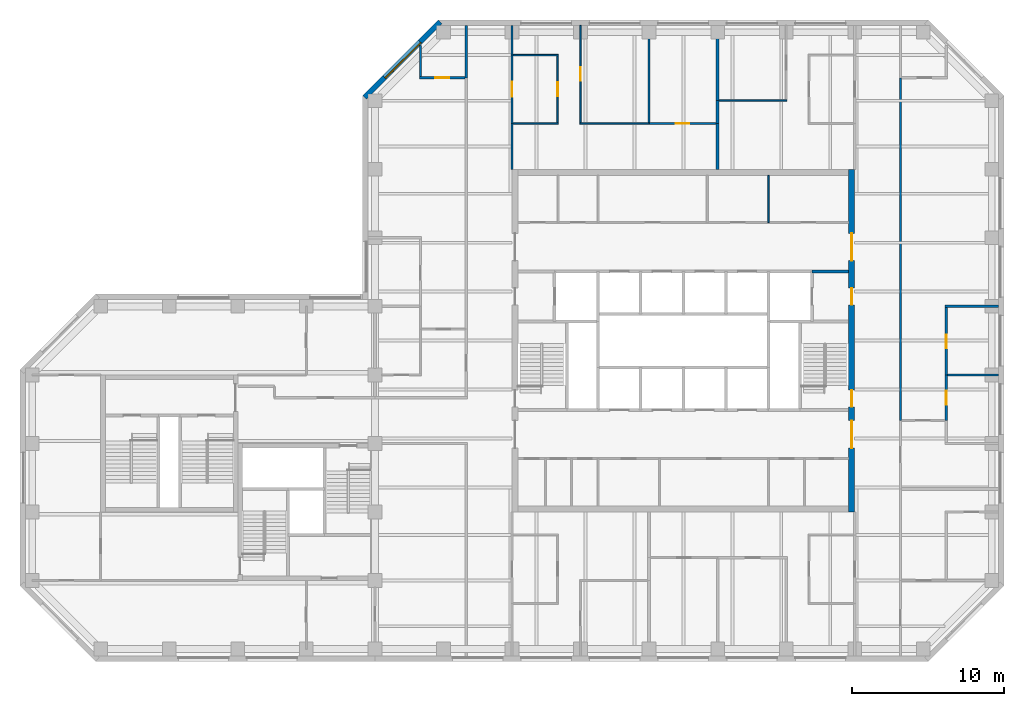
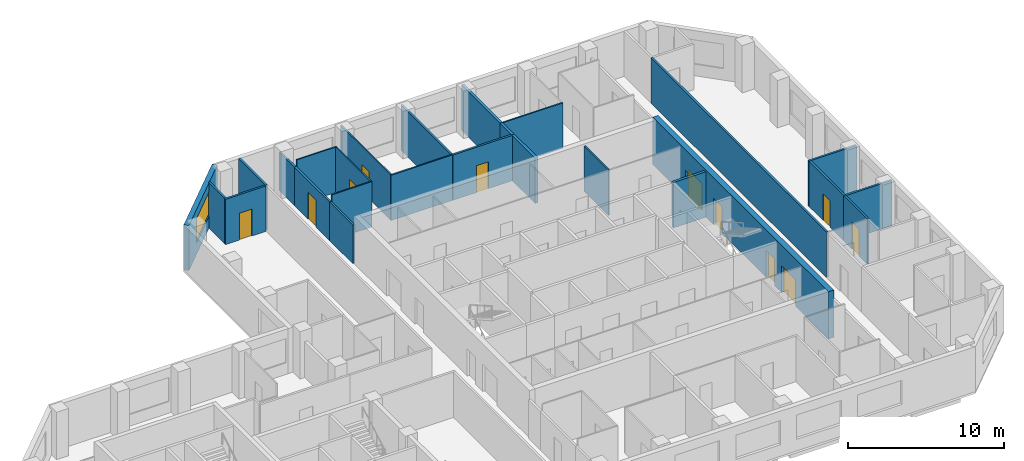
# One storey, part 7 of 10: 26 walls, 11 doors, 1 window, 12 openings.
"""IFC4 building model written with IfcOpenShell, lengths in metres."""

from ifc_helpers import new_model, si_unit, direction, frame, frame_2d, origin, place, context, subcontext, project, spatial, rectangle, extrude, material, layer, layer_set, constituent, constituent_set, type_object, element, fill, save


model = new_model("IFC4")

# Units and contexts
model_context = context("Model", 3, precision=1e-05, world=origin(), true_north=direction((0.0, 1.0)))
body_context = subcontext(model_context, "Body", "Model", "MODEL_VIEW")
ifc_project = project(units=[si_unit("LENGTHUNIT", "METRE"), si_unit("AREAUNIT", "SQUARE_METRE"), si_unit("VOLUMEUNIT", "CUBIC_METRE"), si_unit("PLANEANGLEUNIT", "RADIAN"), si_unit("MASSUNIT", "GRAM", prefix="KILO")], contexts=[model_context])

# Site, building, storey
site_placement = place(None, origin())
site = spatial("IfcSite", under=ifc_project, at=site_placement, CompositionType="ELEMENT")
building_placement = place(site_placement, origin())
building = spatial("IfcBuilding", under=site, at=building_placement, Name="Quoin Convention Tower", CompositionType="ELEMENT")
storey_placement = place(building_placement, frame((0.0, 0.0, 192.10009765625)))
storey = spatial("IfcBuildingStorey", under=building, at=storey_placement, Name="L50", CompositionType="ELEMENT", Elevation=192.10009765625)

# Walls
ifc_material_1 = material(Name="Plasterboard")
ifc_layer_1 = layer(ifc_material_1, 0.012451171875, Name="Finish")
ifc_material_2 = material(Name="Steel stud framing", Category="steel")
ifc_layer_2 = layer(ifc_material_2, 0.125, Name="Structure")
ifc_layer_3 = layer(ifc_material_1, 0.012451171875, Name="Finish")
ifc_layer_set_1 = layer_set([ifc_layer_1, ifc_layer_2, ifc_layer_3], Name="Steel stud framing")
wall_type_1 = type_object("IfcWallType", Name="Acoustic partition 150", PredefinedType="PARTITIONING", material=ifc_layer_set_1)
wall_1_placement = place(storey_placement, frame((73.574951171875, 58.5, 0.0), z_axis=(0.0, 0.0, 1.0), x_axis=(1.0, 0.0, 0.0)))
element("IfcWall", 1, at=wall_1_placement, inside=storey, type_object=wall_type_1, Name="pw-L50-023", PredefinedType="PARTITIONING", context=body_context, shape_type="SweptSolid", body=[
    extrude(rectangle(XDim=3.375, YDim=0.14990234375, at=frame_2d((1.6875, 0.0))), origin(), (0.0, 0.0, 1.0), 3.5498046875),
])
wall_2_placement = place(storey_placement, frame((73.425048828125, 63.0, 0.0), z_axis=(0.0, 0.0, 1.0), x_axis=(1.0, 0.0, 0.0)))
element("IfcWall", 2, at=wall_2_placement, inside=storey, type_object=wall_type_1, Name="pw-L50-027", PredefinedType="PARTITIONING", context=body_context, shape_type="SweptSolid", body=[
    extrude(rectangle(XDim=3.52490234375, YDim=0.14990234375, at=frame_2d((1.762451171875, 0.0))), origin(), (0.0, 0.0, 1.0), 3.5498046875),
])

# Wall, opening, door
wall_3_placement = place(storey_placement, frame((54.0, 75.0, 0.0), z_axis=(0.0, 0.0, 1.0), x_axis=(1.0, 0.0, 0.0)))
wall_3 = element("IfcWall", 3, at=wall_3_placement, inside=storey, type_object=wall_type_1, Name="pw-L50-031", PredefinedType="PARTITIONING", context=body_context, shape_type="SweptSolid", body=[
    extrude(rectangle(XDim=4.39990234375, YDim=0.14990234375, at=frame_2d((2.199951171875, 0.0))), origin(), (0.0, 0.0, 1.0), 3.5498046875),
])
opening_1_placement = place(wall_3_placement, frame((1.75, 0.0, 0.0)))
opening_1 = element("IfcOpeningElement", 4, at=opening_1_placement, cuts=wall_3, Name="Opening DOH7-09", PredefinedType="OPENING", context=body_context, shape_type="SweptSolid", body=[
    extrude(rectangle(XDim=0.89990234375, YDim=2.10009765625, at=frame_2d((0.449951171875, 1.050048828125))), frame((0.0, 0.0849609375, 0.0), z_axis=(0.0, -1.0, 0.0), x_axis=(1.0, 0.0, 0.0)), (0.0, 0.0, 1.0), 0.169921875),
])
ifc_material_3 = material(Name="Steel door leaf", Category="steel")
door_type_1 = type_object("IfcDoorType", Name="Office door 900 x 2100", OperationType="SINGLE_SWING_RIGHT", PredefinedType="DOOR", material=ifc_material_3)
door_1_placement = place(opening_1_placement, frame((0.89990234375, 0.0, 0.0), z_axis=(0.0, 0.0, 1.0), x_axis=(-1.0, 0.0, 0.0)))
door_1 = element("IfcDoor", 5, at=door_1_placement, inside=storey, type_object=door_type_1, Name="dr-L50-22", OperationType="SINGLE_SWING_LEFT", OverallHeight=2.10009765625, OverallWidth=0.89990234375, PredefinedType="DOOR", context=body_context, shape_type="SweptSolid", body=[
    extrude(rectangle(XDim=0.89990234375, YDim=2.10009765625, at=frame_2d((0.449951171875, 1.050048828125))), frame((0.0, 0.02490234375, 0.0), z_axis=(0.0, -1.0, 0.0), x_axis=(1.0, 0.0, 0.0)), (0.0, 0.0, 1.0), 0.050048828125),
])
fill(opening_1, door_1)

wall_4_placement = place(storey_placement, frame((73.5, 55.5, 0.0), z_axis=(0.0, 0.0, 1.0), x_axis=(0.0, 1.0, 0.0)))
wall_4 = element("IfcWall", 6, at=wall_4_placement, inside=storey, type_object=wall_type_1, Name="pw-L50-066", PredefinedType="PARTITIONING", context=body_context, shape_type="SweptSolid", body=[
    extrude(rectangle(XDim=3.0, YDim=0.14990234375, at=frame_2d((1.5, 0.0))), origin(), (0.0, 0.0, 1.0), 3.5498046875),
])
opening_2_placement = place(wall_4_placement, frame((1.050048828125, 0.0, 0.0)))
opening_2 = element("IfcOpeningElement", 7, at=opening_2_placement, cuts=wall_4, Name="Opening DOH7-20", PredefinedType="OPENING", context=body_context, shape_type="SweptSolid", body=[
    extrude(rectangle(XDim=0.89990234375, YDim=2.10009765625, at=frame_2d((0.449951171875, 1.050048828125))), frame((0.0, 0.0849609375, 0.0), z_axis=(0.0, -1.0, 0.0), x_axis=(1.0, 0.0, 0.0)), (0.0, 0.0, 1.0), 0.169921875),
])
door_2_placement = place(opening_2_placement, origin())
door_2 = element("IfcDoor", 8, at=door_2_placement, inside=storey, type_object=door_type_1, Name="dr-L50-31", OperationType="SINGLE_SWING_RIGHT", OverallHeight=2.10009765625, OverallWidth=0.89990234375, PredefinedType="DOOR", context=body_context, shape_type="SweptSolid", body=[
    extrude(rectangle(XDim=0.89990234375, YDim=2.10009765625, at=frame_2d((0.449951171875, 1.050048828125))), frame((0.0, 0.02490234375, 0.0), z_axis=(0.0, -1.0, 0.0), x_axis=(1.0, 0.0, 0.0)), (0.0, 0.0, 1.0), 0.050048828125),
])
fill(opening_2, door_2)

wall_5_placement = place(storey_placement, frame((73.5, 58.5, 0.0), z_axis=(0.0, 0.0, 1.0), x_axis=(0.0, 1.0, 0.0)))
wall_5 = element("IfcWall", 9, at=wall_5_placement, inside=storey, type_object=wall_type_1, Name="pw-L50-069", PredefinedType="PARTITIONING", context=body_context, shape_type="SweptSolid", body=[
    extrude(rectangle(XDim=4.425048828125, YDim=0.14990234375, at=frame_2d((2.21240234375, 0.0))), origin(), (0.0, 0.0, 1.0), 3.5498046875),
])
opening_3_placement = place(wall_5_placement, frame((1.75, 0.0, 0.0)))
opening_3 = element("IfcOpeningElement", 10, at=opening_3_placement, cuts=wall_5, Name="Opening DOH7-22", PredefinedType="OPENING", context=body_context, shape_type="SweptSolid", body=[
    extrude(rectangle(XDim=0.89990234375, YDim=2.10009765625, at=frame_2d((0.449951171875, 1.050048828125))), frame((0.0, 0.0849609375, 0.0), z_axis=(0.0, -1.0, 0.0), x_axis=(1.0, 0.0, 0.0)), (0.0, 0.0, 1.0), 0.169921875),
])
door_3_placement = place(opening_3_placement, origin())
door_3 = element("IfcDoor", 11, at=door_3_placement, inside=storey, type_object=door_type_1, Name="dr-L50-32", OperationType="SINGLE_SWING_RIGHT", OverallHeight=2.10009765625, OverallWidth=0.89990234375, PredefinedType="DOOR", context=body_context, shape_type="SweptSolid", body=[
    extrude(rectangle(XDim=0.89990234375, YDim=2.10009765625, at=frame_2d((0.449951171875, 1.050048828125))), frame((0.0, 0.02490234375, 0.0), z_axis=(0.0, -1.0, 0.0), x_axis=(1.0, 0.0, 0.0)), (0.0, 0.0, 1.0), 0.050048828125),
])
fill(opening_3, door_3)

# Wall
wall_6_placement = place(storey_placement, frame((54.0, 75.074951171875, 0.0), z_axis=(0.0, 0.0, 1.0), x_axis=(0.0, 1.0, 0.0)))
element("IfcWall", 12, at=wall_6_placement, inside=storey, type_object=wall_type_1, Name="pw-L50-086", PredefinedType="PARTITIONING", context=body_context, shape_type="SweptSolid", body=[
    extrude(rectangle(XDim=6.375, YDim=0.14990234375, at=frame_2d((3.1875, 0.0))), origin(), (0.0, 0.0, 1.0), 3.5498046875),
])

# Wall, opening, window
ifc_material_4 = material(Name="Brick masonry", Category="masonry")
ifc_layer_4 = layer(ifc_material_4, 0.35009765625)
ifc_layer_set_2 = layer_set([ifc_layer_4], Name="Brick masonry")
wall_type_2 = type_object("IfcWallType", Name="Brick facade wall", PredefinedType="STANDARD", material=ifc_layer_set_2)
wall_7_placement = place(storey_placement, frame((40.29248046875, 81.67626953125, 0.0), z_axis=(0.0, 0.0, 1.0), x_axis=(-0.707106781187, -0.707106781187, 0.0)))
wall_7 = element("IfcWall", 13, at=wall_7_placement, inside=storey, type_object=wall_type_2, Name="fw-L50-40500_81000", PredefinedType="STANDARD", context=body_context, shape_type="SweptSolid", body=[
    extrude(rectangle(XDim=7.02685546875, YDim=0.35009765625, at=frame_2d((3.513427734375, 0.0))), origin(), (0.0, 0.0, 1.0), 3.52490234375),
])
opening_4_placement = place(wall_7_placement, frame((1.86328125, 0.0, 0.89990234375)))
opening_4 = element("IfcOpeningElement", 14, at=opening_4_placement, cuts=wall_7, Name="Opening W-02", PredefinedType="OPENING", context=body_context, shape_type="SweptSolid", body=[
    extrude(rectangle(XDim=3.300048828125, YDim=1.89990234375, at=frame_2d((1.64990234375, 0.949951171875))), frame((0.0, 0.18505859375, 0.0), z_axis=(0.0, -1.0, 0.0), x_axis=(1.0, 0.0, 0.0)), (0.0, 0.0, 1.0), 0.3701171875),
])
ifc_material_5 = material(Name="Aluminium", Category="aluminium")
ifc_constituent_1 = constituent(ifc_material_5, Name="Frame")
ifc_material_6 = material(Name="Insulated glass", Category="glass")
ifc_constituent_2 = constituent(ifc_material_6, Name="Glazing")
ifc_constituent_set = constituent_set(constituents=[ifc_constituent_1, ifc_constituent_2], Name="Aluminium")
window_type = type_object("IfcWindowType", Name="Office window", PartitioningType="DOUBLE_PANEL_VERTICAL", PredefinedType="WINDOW", material=ifc_constituent_set)
window_placement = place(opening_4_placement, origin())
window = element("IfcWindow", 15, at=window_placement, inside=storey, type_object=window_type, Name="win-L50-37808_79192", OverallHeight=1.89990234375, OverallWidth=3.300048828125, PartitioningType="SINGLE_PANEL", PredefinedType="WINDOW", context=body_context, shape_type="SweptSolid", body=[
    extrude(rectangle(XDim=3.300048828125, YDim=1.89990234375, at=frame_2d((1.64990234375, 0.949951171875))), frame((0.0, 0.0849609375, 0.0), z_axis=(0.0, -1.0, 0.0), x_axis=(1.0, 0.0, 0.0)), (0.0, 0.0, 1.0), 0.06005859375),
])
fill(opening_4, window)

# Walls
ifc_layer_5 = layer(ifc_material_1, 0.012451171875, Name="Finish")
ifc_layer_6 = layer(ifc_material_2, 0.074951171875, Name="Structure")
ifc_layer_7 = layer(ifc_material_1, 0.012451171875, Name="Finish")
ifc_layer_set_3 = layer_set([ifc_layer_5, ifc_layer_6, ifc_layer_7], Name="Steel stud framing")
wall_type_3 = type_object("IfcWallType", Name="Core partition wall", PredefinedType="PARTITIONING", material=ifc_layer_set_3)
wall_8_placement = place(storey_placement, frame((61.85009765625, 68.5, 0.0), z_axis=(0.0, 0.0, 1.0), x_axis=(0.0, 1.0, 0.0)))
element("IfcWall", 16, at=wall_8_placement, inside=storey, type_object=wall_type_3, Name="cr-C1-L50-v16850_19000", PredefinedType="PARTITIONING", context=body_context, shape_type="SweptSolid", body=[
    extrude(rectangle(XDim=3.10009765625, YDim=0.10009765625, at=frame_2d((1.550048828125, 0.0))), origin(), (0.0, 0.0, 1.0), 3.5498046875),
])
ifc_material_7 = material(Name="Concrete C50", Category="concrete")
ifc_layer_8 = layer(ifc_material_7, 0.199951171875)
ifc_layer_set_4 = layer_set([ifc_layer_8], Name="Concrete C50")
wall_type_4 = type_object("IfcWallType", Name="Core shaft wall", PredefinedType="SOLIDWALL", material=ifc_layer_set_4)
wall_9_placement = place(storey_placement, frame((64.699951171875, 65.300048828125, 0.0), z_axis=(0.0, 0.0, 1.0), x_axis=(1.0, 0.0, 0.0)))
element("IfcWall", 17, at=wall_9_placement, inside=storey, type_object=wall_type_4, Name="cr-C1-L50-h15800_19700", PredefinedType="SOLIDWALL", context=body_context, shape_type="SweptSolid", body=[
    extrude(rectangle(XDim=2.400146484375, YDim=0.199951171875, at=frame_2d((1.2001953125, 0.0))), origin(), (0.0, 0.0, 1.0), 3.5498046875),
])
ifc_layer_9 = layer(ifc_material_1, 0.012451171875, Name="Finish")
ifc_layer_10 = layer(ifc_material_2, 0.125, Name="Structure")
ifc_layer_11 = layer(ifc_material_1, 0.012451171875, Name="Finish")
ifc_layer_set_5 = layer_set([ifc_layer_9, ifc_layer_10, ifc_layer_11], Name="Steel stud framing")
wall_type_5 = type_object("IfcWallType", Name="Corridor wall 150", PredefinedType="PARTITIONING", material=ifc_layer_set_5)
wall_10_placement = place(storey_placement, frame((70.5, 55.5, 0.0), z_axis=(0.0, 0.0, 1.0), x_axis=(0.0, 1.0, 0.0)))
element("IfcWall", 18, at=wall_10_placement, inside=storey, type_object=wall_type_5, Name="pw-L50-065", PredefinedType="PARTITIONING", context=body_context, shape_type="SweptSolid", body=[
    extrude(rectangle(XDim=22.5, YDim=0.14990234375, at=frame_2d((11.25, 0.0))), origin(), (0.0, 0.0, 1.0), 3.5498046875),
])
wall_11_placement = place(storey_placement, frame((42.0, 78.0, 0.0), z_axis=(0.0, 0.0, 1.0), x_axis=(0.0, 1.0, 0.0)))
element("IfcWall", 19, at=wall_11_placement, inside=storey, type_object=wall_type_5, Name="pw-L50-089", PredefinedType="PARTITIONING", context=body_context, shape_type="SweptSolid", body=[
    extrude(rectangle(XDim=3.449951171875, YDim=0.14990234375, at=frame_2d((1.72509765625, 0.0))), origin(), (0.0, 0.0, 1.0), 3.5498046875),
])
ifc_layer_12 = layer(ifc_material_1, 0.012451171875, Name="Finish")
ifc_layer_13 = layer(ifc_material_2, 0.125, Name="Structure")
ifc_layer_14 = layer(ifc_material_1, 0.012451171875, Name="Finish")
ifc_layer_set_6 = layer_set([ifc_layer_12, ifc_layer_13, ifc_layer_14], Name="Steel stud framing")
wall_type_6 = type_object("IfcWallType", Name="Corridor wall 150 under beam 528", PredefinedType="PARTITIONING", material=ifc_layer_set_6)
wall_12_placement = place(storey_placement, frame((45.0, 72.0, 0.0), z_axis=(0.0, 0.0, 1.0), x_axis=(0.0, 1.0, 0.0)))
element("IfcWall", 20, at=wall_12_placement, inside=storey, type_object=wall_type_6, Name="pw-L50-077", PredefinedType="PARTITIONING", context=body_context, shape_type="SweptSolid", body=[
    extrude(rectangle(XDim=3.0, YDim=0.14990234375, at=frame_2d((1.5, 0.0))), origin(), (0.0, 0.0, 1.0), 3.02197265625),
])

# Wall, opening, door
wall_13_placement = place(storey_placement, frame((45.0, 75.0, 0.0), z_axis=(0.0, 0.0, 1.0), x_axis=(0.0, 1.0, 0.0)))
wall_13 = element("IfcWall", 21, at=wall_13_placement, inside=storey, type_object=wall_type_6, Name="pw-L50-080", PredefinedType="PARTITIONING", context=body_context, shape_type="SweptSolid", body=[
    extrude(rectangle(XDim=4.5, YDim=0.14990234375, at=frame_2d((2.25, 0.0))), origin(), (0.0, 0.0, 1.0), 3.02197265625),
])
opening_5_placement = place(wall_13_placement, frame((1.75, 0.0, 0.0)))
opening_5 = element("IfcOpeningElement", 22, at=opening_5_placement, cuts=wall_13, Name="Opening DOH7-24", PredefinedType="OPENING", context=body_context, shape_type="SweptSolid", body=[
    extrude(rectangle(XDim=1.0, YDim=2.10009765625, at=frame_2d((0.5, 1.050048828125))), frame((0.0, 0.0849609375, 0.0), z_axis=(0.0, -1.0, 0.0), x_axis=(1.0, 0.0, 0.0)), (0.0, 0.0, 1.0), 0.169921875),
])
door_type_2 = type_object("IfcDoorType", Name="Tenancy entrance door 1000 x 2100", OperationType="DOUBLE_DOOR_SINGLE_SWING", PredefinedType="DOOR", material=ifc_material_3)
door_4_placement = place(opening_5_placement, frame((1.0, 0.0, 0.0), z_axis=(0.0, 0.0, 1.0), x_axis=(-1.0, 0.0, 0.0)))
door_4 = element("IfcDoor", 23, at=door_4_placement, inside=storey, type_object=door_type_2, Name="dr-L50-19", OperationType="DOUBLE_DOOR_SINGLE_SWING", OverallHeight=2.10009765625, OverallWidth=1.0, PredefinedType="DOOR", context=body_context, shape_type="SweptSolid", body=[
    extrude(rectangle(XDim=1.0, YDim=2.10009765625, at=frame_2d((0.5, 1.050048828125))), frame((0.0, 0.02490234375, 0.0), z_axis=(0.0, -1.0, 0.0), x_axis=(1.0, 0.0, 0.0)), (0.0, 0.0, 1.0), 0.050048828125),
])
fill(opening_5, door_4)

# Wall
wall_14_placement = place(storey_placement, frame((45.0, 79.5, 0.0), z_axis=(0.0, 0.0, 1.0), x_axis=(0.0, 1.0, 0.0)))
element("IfcWall", 24, at=wall_14_placement, inside=storey, type_object=wall_type_6, Name="pw-L50-093", PredefinedType="PARTITIONING", context=body_context, shape_type="SweptSolid", body=[
    extrude(rectangle(XDim=1.949951171875, YDim=0.14990234375, at=frame_2d((0.97509765625, 0.0))), origin(), (0.0, 0.0, 1.0), 3.02197265625),
])

# Wall, openings, doors
ifc_layer_15 = layer(ifc_material_7, 0.39990234375)
ifc_layer_set_7 = layer_set([ifc_layer_15], Name="Concrete C50")
wall_type_7 = type_object("IfcWallType", Name="RC CORE WALL 400 C50", PredefinedType="SHEAR", material=ifc_layer_set_7)
wall_15_placement = place(storey_placement, frame((67.300048828125, 49.5, 0.0), z_axis=(0.0, 0.0, 1.0), x_axis=(0.0, 1.0, 0.0)))
wall_15 = element("IfcWall", 25, at=wall_15_placement, inside=storey, type_object=wall_type_7, Name="cwl-C1-L50-E", PredefinedType="SHEAR", context=body_context, shape_type="SweptSolid", body=[
    extrude(rectangle(XDim=22.5, YDim=0.39990234375, at=frame_2d((11.25, 0.0))), origin(), (0.0, 0.0, 1.0), 3.699951171875),
])
opening_6_placement = place(wall_15_placement, frame((4.199951171875, 0.0, 0.0)))
opening_6 = element("IfcOpeningElement", 26, at=opening_6_placement, cuts=wall_15, Name="Opening DCV5-48", PredefinedType="OPENING", context=body_context, shape_type="SweptSolid", body=[
    extrude(rectangle(XDim=1.800048828125, YDim=2.10009765625, at=frame_2d((0.89990234375, 1.050048828125))), frame((0.0, 0.2099609375, 0.0), z_axis=(0.0, -1.0, 0.0), x_axis=(1.0, 0.0, 0.0)), (0.0, 0.0, 1.0), 0.419921875),
])
opening_7_placement = place(wall_15_placement, frame((6.89990234375, 0.0, 0.0)))
opening_7 = element("IfcOpeningElement", 27, at=opening_7_placement, cuts=wall_15, Name="Opening SD2", PredefinedType="OPENING", context=body_context, shape_type="SweptSolid", body=[
    extrude(rectangle(XDim=1.10009765625, YDim=2.10009765625, at=frame_2d((0.550048828125, 1.050048828125))), frame((0.0, 0.2099609375, 0.0), z_axis=(0.0, -1.0, 0.0), x_axis=(1.0, 0.0, 0.0)), (0.0, 0.0, 1.0), 0.419921875),
])
opening_8_placement = place(wall_15_placement, frame((13.60009765625, 0.0, 0.0)))
opening_8 = element("IfcOpeningElement", 28, at=opening_8_placement, cuts=wall_15, Name="Opening DCV5-47", PredefinedType="OPENING", context=body_context, shape_type="SweptSolid", body=[
    extrude(rectangle(XDim=1.10009765625, YDim=2.10009765625, at=frame_2d((0.550048828125, 1.050048828125))), frame((0.0, 0.2099609375, 0.0), z_axis=(0.0, -1.0, 0.0), x_axis=(1.0, 0.0, 0.0)), (0.0, 0.0, 1.0), 0.419921875),
])
opening_9_placement = place(wall_15_placement, frame((16.5, 0.0, 0.0)))
opening_9 = element("IfcOpeningElement", 29, at=opening_9_placement, cuts=wall_15, Name="Opening DCV5-48", PredefinedType="OPENING", context=body_context, shape_type="SweptSolid", body=[
    extrude(rectangle(XDim=1.800048828125, YDim=2.10009765625, at=frame_2d((0.89990234375, 1.050048828125))), frame((0.0, 0.2099609375, 0.0), z_axis=(0.0, -1.0, 0.0), x_axis=(1.0, 0.0, 0.0)), (0.0, 0.0, 1.0), 0.419921875),
])
door_type_3 = type_object("IfcDoorType", Name="Fire-fighting lobby door 1100 x 2100", OperationType="SINGLE_SWING_LEFT", PredefinedType="DOOR", material=ifc_material_3)
door_5_placement = place(opening_8_placement, origin())
door_5 = element("IfcDoor", 30, at=door_5_placement, inside=storey, type_object=door_type_3, Name="cd-C1-L50-FFE-E", OperationType="SINGLE_SWING_RIGHT", OverallHeight=2.10009765625, OverallWidth=1.10009765625, PredefinedType="DOOR", context=body_context, shape_type="SweptSolid", body=[
    extrude(rectangle(XDim=1.10009765625, YDim=2.10009765625, at=frame_2d((0.550048828125, 1.050048828125))), frame((0.0, 0.02490234375, 0.0), z_axis=(0.0, -1.0, 0.0), x_axis=(1.0, 0.0, 0.0)), (0.0, 0.0, 1.0), 0.050048828125),
])
fill(opening_8, door_5)
door_type_4 = type_object("IfcDoorType", Name="Lift lobby door 1800 x 2100", OperationType="SINGLE_SWING_LEFT", PredefinedType="DOOR", material=ifc_material_3)
door_6_placement = place(opening_6_placement, origin())
door_6 = element("IfcDoor", 31, at=door_6_placement, inside=storey, type_object=door_type_4, Name="cd-C1-L50-lobA-E", OperationType="SINGLE_SWING_RIGHT", OverallHeight=2.10009765625, OverallWidth=1.800048828125, PredefinedType="DOOR", context=body_context, shape_type="SweptSolid", body=[
    extrude(rectangle(XDim=1.800048828125, YDim=2.10009765625, at=frame_2d((0.89990234375, 1.050048828125))), frame((0.0, 0.02490234375, 0.0), z_axis=(0.0, -1.0, 0.0), x_axis=(1.0, 0.0, 0.0)), (0.0, 0.0, 1.0), 0.050048828125),
])
fill(opening_6, door_6)
door_7_placement = place(opening_9_placement, origin())
door_7 = element("IfcDoor", 32, at=door_7_placement, inside=storey, type_object=door_type_4, Name="cd-C1-L50-lobB-E", OperationType="SINGLE_SWING_RIGHT", OverallHeight=2.10009765625, OverallWidth=1.800048828125, PredefinedType="DOOR", context=body_context, shape_type="SweptSolid", body=[
    extrude(rectangle(XDim=1.800048828125, YDim=2.10009765625, at=frame_2d((0.89990234375, 1.050048828125))), frame((0.0, 0.02490234375, 0.0), z_axis=(0.0, -1.0, 0.0), x_axis=(1.0, 0.0, 0.0)), (0.0, 0.0, 1.0), 0.050048828125),
])
fill(opening_9, door_7)
door_type_5 = type_object("IfcDoorType", Name="Stair door 1100 x 2100", OperationType="SINGLE_SWING_RIGHT", PredefinedType="DOOR", material=ifc_material_3)
door_8_placement = place(opening_7_placement, origin())
door_8 = element("IfcDoor", 33, at=door_8_placement, inside=storey, type_object=door_type_5, Name="cd-C1-L50-STE-E", OperationType="SINGLE_SWING_LEFT", OverallHeight=2.10009765625, OverallWidth=1.10009765625, PredefinedType="DOOR", context=body_context, shape_type="SweptSolid", body=[
    extrude(rectangle(XDim=1.10009765625, YDim=2.10009765625, at=frame_2d((0.550048828125, 1.050048828125))), frame((0.0, 0.02490234375, 0.0), z_axis=(0.0, -1.0, 0.0), x_axis=(1.0, 0.0, 0.0)), (0.0, 0.0, 1.0), 0.050048828125),
])
fill(opening_7, door_8)

# Walls
ifc_layer_16 = layer(ifc_material_1, 0.012451171875, Name="Finish")
ifc_layer_17 = layer(ifc_material_2, 0.074951171875, Name="Structure")
ifc_layer_18 = layer(ifc_material_1, 0.012451171875, Name="Finish")
ifc_layer_set_8 = layer_set([ifc_layer_16, ifc_layer_17, ifc_layer_18], Name="Steel stud framing")
wall_type_8 = type_object("IfcWallType", Name="Stud partition 100", PredefinedType="PARTITIONING", material=ifc_layer_set_8)
wall_16_placement = place(storey_placement, frame((45.074951171875, 75.0, 0.0), z_axis=(0.0, 0.0, 1.0), x_axis=(1.0, 0.0, 0.0)))
element("IfcWall", 34, at=wall_16_placement, inside=storey, type_object=wall_type_8, Name="pw-L50-029", PredefinedType="PARTITIONING", context=body_context, shape_type="SweptSolid", body=[
    extrude(rectangle(XDim=2.97509765625, YDim=0.10009765625, at=frame_2d((1.487548828125, 0.0))), origin(), (0.0, 0.0, 1.0), 3.5498046875),
])
wall_17_placement = place(storey_placement, frame((49.449951171875, 75.0, 0.0), z_axis=(0.0, 0.0, 1.0), x_axis=(1.0, 0.0, 0.0)))
element("IfcWall", 35, at=wall_17_placement, inside=storey, type_object=wall_type_8, Name="pw-L50-030", PredefinedType="PARTITIONING", context=body_context, shape_type="SweptSolid", body=[
    extrude(rectangle(XDim=4.550048828125, YDim=0.10009765625, at=frame_2d((2.27490234375, 0.0))), origin(), (0.0, 0.0, 1.0), 3.5498046875),
])
wall_18_placement = place(storey_placement, frame((58.60009765625, 76.5, 0.0), z_axis=(0.0, 0.0, 1.0), x_axis=(1.0, 0.0, 0.0)))
element("IfcWall", 36, at=wall_18_placement, inside=storey, type_object=wall_type_8, Name="pw-L50-033", PredefinedType="PARTITIONING", context=body_context, shape_type="SweptSolid", body=[
    extrude(rectangle(XDim=4.449951171875, YDim=0.10009765625, at=frame_2d((2.22509765625, 0.0))), origin(), (0.0, 0.0, 1.0), 3.5498046875),
])
wall_19_placement = place(storey_placement, frame((45.074951171875, 79.5, 0.0), z_axis=(0.0, 0.0, 1.0), x_axis=(1.0, 0.0, 0.0)))
element("IfcWall", 37, at=wall_19_placement, inside=storey, type_object=wall_type_8, Name="pw-L50-036", PredefinedType="PARTITIONING", context=body_context, shape_type="SweptSolid", body=[
    extrude(rectangle(XDim=2.97509765625, YDim=0.10009765625, at=frame_2d((1.487548828125, 0.0))), origin(), (0.0, 0.0, 1.0), 3.5498046875),
])

# Wall, opening, door
wall_20_placement = place(storey_placement, frame((48.0, 75.050048828125, 0.0), z_axis=(0.0, 0.0, 1.0), x_axis=(0.0, 1.0, 0.0)))
wall_20 = element("IfcWall", 38, at=wall_20_placement, inside=storey, type_object=wall_type_8, Name="pw-L50-083", PredefinedType="PARTITIONING", context=body_context, shape_type="SweptSolid", body=[
    extrude(rectangle(XDim=4.39990234375, YDim=0.10009765625, at=frame_2d((2.199951171875, 0.0))), origin(), (0.0, 0.0, 1.0), 3.5498046875),
])
opening_10_placement = place(wall_20_placement, frame((1.75, 0.0, 0.0)))
opening_10 = element("IfcOpeningElement", 39, at=opening_10_placement, cuts=wall_20, Name="Opening DOH7-26", PredefinedType="OPENING", context=body_context, shape_type="SweptSolid", body=[
    extrude(rectangle(XDim=0.89990234375, YDim=2.10009765625, at=frame_2d((0.449951171875, 1.050048828125))), frame((0.0, 0.06005859375, 0.0), z_axis=(0.0, -1.0, 0.0), x_axis=(1.0, 0.0, 0.0)), (0.0, 0.0, 1.0), 0.1201171875),
])
door_9_placement = place(opening_10_placement, frame((0.89990234375, 0.0, 0.0), z_axis=(0.0, 0.0, 1.0), x_axis=(-1.0, 0.0, 0.0)))
door_9 = element("IfcDoor", 40, at=door_9_placement, inside=storey, type_object=door_type_1, Name="dr-L50-20", OperationType="SINGLE_SWING_LEFT", OverallHeight=2.10009765625, OverallWidth=0.89990234375, PredefinedType="DOOR", context=body_context, shape_type="SweptSolid", body=[
    extrude(rectangle(XDim=0.89990234375, YDim=2.10009765625, at=frame_2d((0.449951171875, 1.050048828125))), frame((0.0, 0.02490234375, 0.0), z_axis=(0.0, -1.0, 0.0), x_axis=(1.0, 0.0, 0.0)), (0.0, 0.0, 1.0), 0.050048828125),
])
fill(opening_10, door_9)

wall_21_placement = place(storey_placement, frame((49.5, 75.050048828125, 0.0), z_axis=(0.0, 0.0, 1.0), x_axis=(0.0, 1.0, 0.0)))
wall_21 = element("IfcWall", 41, at=wall_21_placement, inside=storey, type_object=wall_type_8, Name="pw-L50-084", PredefinedType="PARTITIONING", context=body_context, shape_type="SweptSolid", body=[
    extrude(rectangle(XDim=6.39990234375, YDim=0.10009765625, at=frame_2d((3.199951171875, 0.0))), origin(), (0.0, 0.0, 1.0), 3.5498046875),
])
opening_11_placement = place(wall_21_placement, frame((2.75, 0.0, 0.0)))
opening_11 = element("IfcOpeningElement", 42, at=opening_11_placement, cuts=wall_21, Name="Opening DOH7-27", PredefinedType="OPENING", context=body_context, shape_type="SweptSolid", body=[
    extrude(rectangle(XDim=0.89990234375, YDim=2.10009765625, at=frame_2d((0.449951171875, 1.050048828125))), frame((0.0, 0.06005859375, 0.0), z_axis=(0.0, -1.0, 0.0), x_axis=(1.0, 0.0, 0.0)), (0.0, 0.0, 1.0), 0.1201171875),
])
door_10_placement = place(opening_11_placement, origin())
door_10 = element("IfcDoor", 43, at=door_10_placement, inside=storey, type_object=door_type_1, Name="dr-L50-21", OperationType="SINGLE_SWING_RIGHT", OverallHeight=2.10009765625, OverallWidth=0.89990234375, PredefinedType="DOOR", context=body_context, shape_type="SweptSolid", body=[
    extrude(rectangle(XDim=0.89990234375, YDim=2.10009765625, at=frame_2d((0.449951171875, 1.050048828125))), frame((0.0, 0.02490234375, 0.0), z_axis=(0.0, -1.0, 0.0), x_axis=(1.0, 0.0, 0.0)), (0.0, 0.0, 1.0), 0.050048828125),
])
fill(opening_11, door_10)

# Walls
ifc_layer_19 = layer(ifc_material_1, 0.012451171875, Name="Finish")
ifc_layer_20 = layer(ifc_material_2, 0.175048828125, Name="Structure")
ifc_layer_21 = layer(ifc_material_1, 0.012451171875, Name="Finish")
ifc_layer_set_9 = layer_set([ifc_layer_19, ifc_layer_20, ifc_layer_21], Name="Steel stud framing")
wall_type_9 = type_object("IfcWallType", Name="Tenancy demising wall 200", PredefinedType="PARTITIONING", material=ifc_layer_set_9)
wall_22_placement = place(storey_placement, frame((58.5, 72.0, 0.0), z_axis=(0.0, 0.0, 1.0), x_axis=(0.0, 1.0, 0.0)))
element("IfcWall", 44, at=wall_22_placement, inside=storey, type_object=wall_type_9, Name="pw-L50-078", PredefinedType="PARTITIONING", context=body_context, shape_type="SweptSolid", body=[
    extrude(rectangle(XDim=3.0, YDim=0.199951171875, at=frame_2d((1.5, 0.0))), origin(), (0.0, 0.0, 1.0), 3.5498046875),
])
wall_23_placement = place(storey_placement, frame((58.5, 75.0, 0.0), z_axis=(0.0, 0.0, 1.0), x_axis=(0.0, 1.0, 0.0)))
element("IfcWall", 45, at=wall_23_placement, inside=storey, type_object=wall_type_9, Name="pw-L50-081", PredefinedType="PARTITIONING", context=body_context, shape_type="SweptSolid", body=[
    extrude(rectangle(XDim=1.5, YDim=0.199951171875, at=frame_2d((0.75, 0.0))), origin(), (0.0, 0.0, 1.0), 3.5498046875),
])
wall_24_placement = place(storey_placement, frame((58.5, 76.5, 0.0), z_axis=(0.0, 0.0, 1.0), x_axis=(0.0, 1.0, 0.0)))
element("IfcWall", 46, at=wall_24_placement, inside=storey, type_object=wall_type_9, Name="pw-L50-087", PredefinedType="PARTITIONING", context=body_context, shape_type="SweptSolid", body=[
    extrude(rectangle(XDim=4.949951171875, YDim=0.199951171875, at=frame_2d((2.47509765625, 0.0))), origin(), (0.0, 0.0, 1.0), 3.5498046875),
])

# Wall, opening, door
ifc_layer_22 = layer(ifc_material_1, 0.012451171875, Name="Finish")
ifc_layer_23 = layer(ifc_material_2, 0.125, Name="Structure")
ifc_layer_24 = layer(ifc_material_1, 0.012451171875, Name="Finish")
ifc_layer_set_10 = layer_set([ifc_layer_22, ifc_layer_23, ifc_layer_24], Name="Steel stud framing")
wall_type_10 = type_object("IfcWallType", Name="Wet area partition 150", PredefinedType="PARTITIONING", material=ifc_layer_set_10)
wall_25_placement = place(storey_placement, frame((38.925048828125, 78.0, 0.0), z_axis=(0.0, 0.0, 1.0), x_axis=(1.0, 0.0, 0.0)))
wall_25 = element("IfcWall", 47, at=wall_25_placement, inside=storey, type_object=wall_type_10, Name="pw-L50-034", PredefinedType="PARTITIONING", context=body_context, shape_type="SweptSolid", body=[
    extrude(rectangle(XDim=3.0, YDim=0.14990234375, at=frame_2d((1.5, 0.0))), origin(), (0.0, 0.0, 1.0), 3.5498046875),
])
opening_12_placement = place(wall_25_placement, frame((1.050048828125, 0.0, 0.0)))
opening_12 = element("IfcOpeningElement", 48, at=opening_12_placement, cuts=wall_25, Name="Opening DOH7-10", PredefinedType="OPENING", context=body_context, shape_type="SweptSolid", body=[
    extrude(rectangle(XDim=0.89990234375, YDim=2.10009765625, at=frame_2d((0.449951171875, 1.050048828125))), frame((0.0, 0.0849609375, 0.0), z_axis=(0.0, -1.0, 0.0), x_axis=(1.0, 0.0, 0.0)), (0.0, 0.0, 1.0), 0.169921875),
])
door_11_placement = place(opening_12_placement, frame((0.89990234375, 0.0, 0.0), z_axis=(0.0, 0.0, 1.0), x_axis=(-1.0, 0.0, 0.0)))
door_11 = element("IfcDoor", 49, at=door_11_placement, inside=storey, type_object=door_type_1, Name="dr-L50-11", OperationType="SINGLE_SWING_LEFT", OverallHeight=2.10009765625, OverallWidth=0.89990234375, PredefinedType="DOOR", context=body_context, shape_type="SweptSolid", body=[
    extrude(rectangle(XDim=0.89990234375, YDim=2.10009765625, at=frame_2d((0.449951171875, 1.050048828125))), frame((0.0, 0.02490234375, 0.0), z_axis=(0.0, -1.0, 0.0), x_axis=(1.0, 0.0, 0.0)), (0.0, 0.0, 1.0), 0.050048828125),
])
fill(opening_12, door_11)

# Wall
wall_26_placement = place(storey_placement, frame((39.0, 78.074951171875, 0.0), z_axis=(0.0, 0.0, 1.0), x_axis=(0.0, 1.0, 0.0)))
element("IfcWall", 50, at=wall_26_placement, inside=storey, type_object=wall_type_10, Name="pw-L50-091", PredefinedType="PARTITIONING", context=body_context, shape_type="SweptSolid", body=[
    extrude(rectangle(XDim=2.0615234375, YDim=0.14990234375, at=frame_2d((1.03076171875, 0.0))), origin(), (0.0, 0.0, 1.0), 3.5498046875),
])

save(model, "model.ifc")
